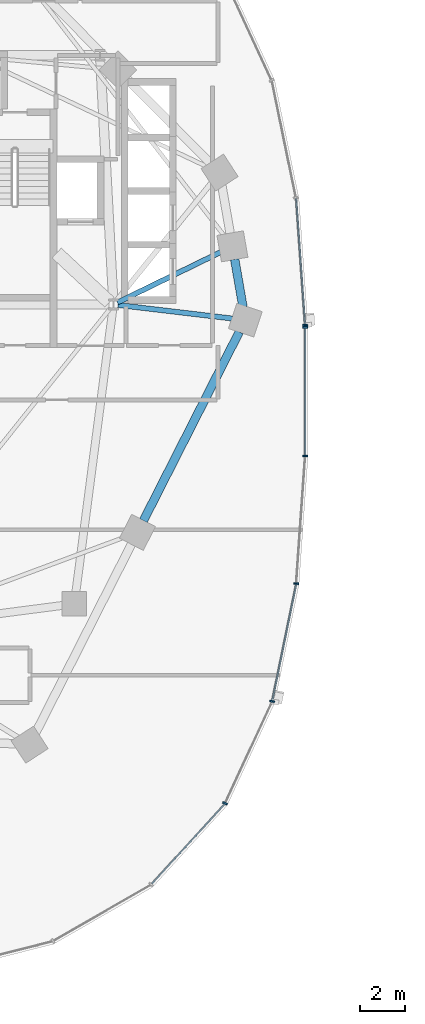
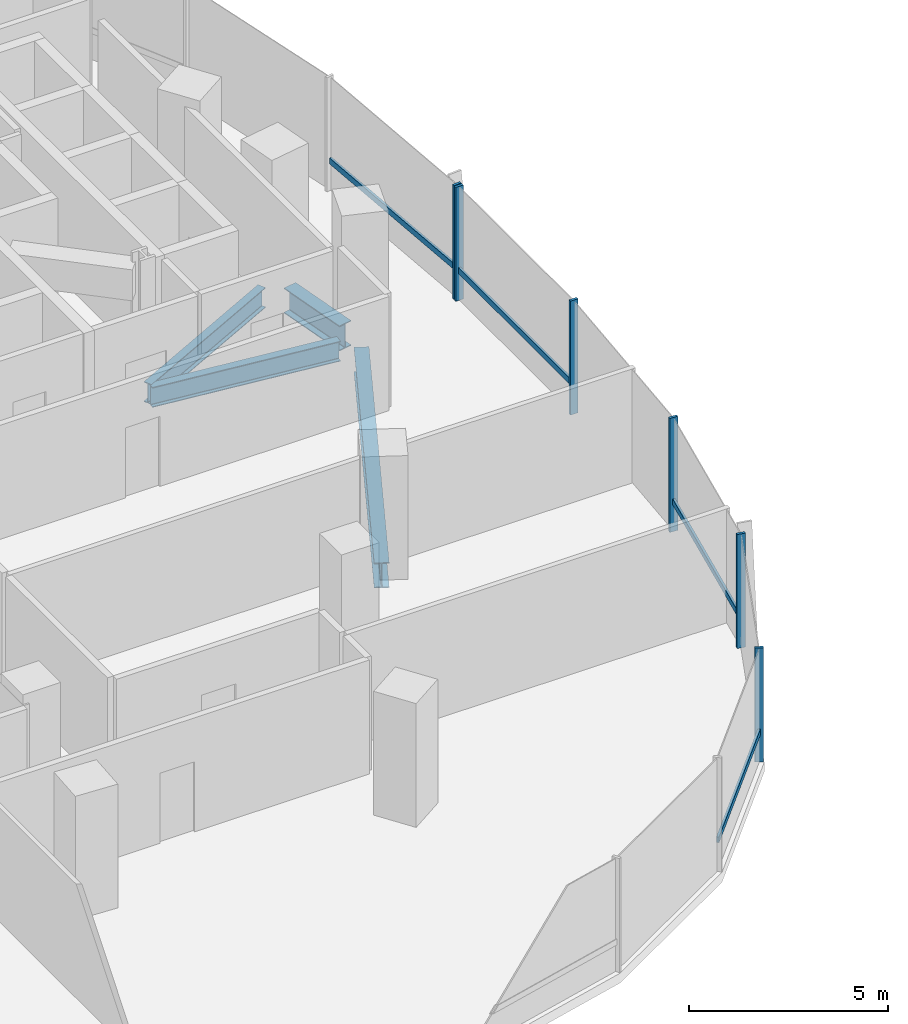
# One storey, part 3 of 22: 10 members, 4 beams, 2 elements without a shape of their own.
"""IFC4 building model written with IfcOpenShell, lengths in metres."""

from ifc_helpers import new_model, si_unit, direction, frame, origin, origin_2d, place, context, subcontext, project, spatial, rectangle, i_section, extrude, material, material_profile, profile_set, type_object, element, aggregate, save


model = new_model("IFC4")

# Units and contexts
model_context = context("Model", 3, precision=1e-05, world=origin(), true_north=direction((0.0, 1.0)))
body_context = subcontext(model_context, "Body", "Model", "MODEL_VIEW")
ifc_project = project(units=[si_unit("LENGTHUNIT", "METRE"), si_unit("AREAUNIT", "SQUARE_METRE"), si_unit("VOLUMEUNIT", "CUBIC_METRE"), si_unit("PLANEANGLEUNIT", "RADIAN"), si_unit("MASSUNIT", "GRAM", prefix="KILO"), si_unit("THERMODYNAMICTEMPERATUREUNIT", "KELVIN"), si_unit("POWERUNIT", "WATT")], contexts=[model_context])

# Site, building, storey
site_placement = place(None, origin())
site = spatial("IfcSite", under=ifc_project, at=site_placement, CompositionType="ELEMENT")
building_placement = place(site_placement, origin())
building = spatial("IfcBuilding", under=site, at=building_placement, Name="Cundina Bronze Exchange", CompositionType="ELEMENT")
storey_placement = place(building_placement, frame((0.0, 0.0, 43.0)))
storey = spatial("IfcBuildingStorey", under=building, at=storey_placement, Name="L10", CompositionType="ELEMENT", Elevation=43.0)

# Beams
ifc_material_1 = material(Name="Steel ASTM A992 Grade 50", Category="steel")
ifc_material_profile_1 = material_profile(ifc_material_1, i_section(OverallWidth=0.22998046875, OverallDepth=0.616943359375, WebThickness=0.01318359375, FlangeThickness=0.022216796875, FilletRadius=0.013916015625, at=origin_2d()), Name="W24X94", Category="steel")
ifc_profile_set_1 = profile_set([ifc_material_profile_1], Name="Steel ASTM A992 Grade 50")
beam_type_1 = type_object("IfcBeamType", Name="BM-FLR-W24B", PredefinedType="BEAM", material=ifc_profile_set_1)
beam_1_placement = place(storey_placement, frame((-21.247314453125, 3.8759765625, -0.6083984375), z_axis=(0.993035236117, -0.117817739878, 0.0), x_axis=(0.117817739878, 0.993035236117, 0.0)))
element("IfcBeam", 1, at=beam_1_placement, inside=storey, type_object=beam_type_1, Name="L10 Leg W Radial Floor Beam 00", PredefinedType="BEAM", context=body_context, shape_type="SweptSolid", body=[
    extrude(i_section(OverallWidth=0.22998046875, OverallDepth=0.616943359375, WebThickness=0.01318359375, FlangeThickness=0.022216796875, FilletRadius=0.013916015625, at=origin_2d()), origin(), (0.0, 0.0, 1.0), 5.1494140625),
])
beam_2_placement = place(storey_placement, frame((-21.2666015625, 3.989501953125, -0.6083984375), z_axis=(0.898610249448, 0.438747785849, 0.0), x_axis=(-0.438747785849, 0.898610249448, 0.0)))
element("IfcBeam", 2, at=beam_2_placement, inside=storey, type_object=beam_type_1, Name="L10 Leg W Radial Floor Beam 01", PredefinedType="BEAM", context=body_context, shape_type="SweptSolid", body=[
    extrude(i_section(OverallWidth=0.22998046875, OverallDepth=0.616943359375, WebThickness=0.01318359375, FlangeThickness=0.022216796875, FilletRadius=0.013916015625, at=origin_2d()), origin(), (0.0, 0.0, 1.0), 5.1337890625),
])
ifc_material_profile_2 = material_profile(ifc_material_1, i_section(OverallWidth=0.381103515625, OverallDepth=0.77294921875, WebThickness=0.0166015625, FlangeThickness=0.027099609375, FilletRadius=0.01904296875, at=origin_2d()), Name="W30X173", Category="steel")
ifc_profile_set_2 = profile_set([ifc_material_profile_2], Name="Steel ASTM A992 Grade 50")
beam_type_2 = type_object("IfcBeamType", Name="BM-RING-W30", PredefinedType="USERDEFINED", material=ifc_profile_set_2)
beam_3_placement = place(storey_placement, frame((-15.65087890625, 3.779296875, -0.6865234375), z_axis=(-0.171734584051, 0.985143254883, 0.0), x_axis=(-0.985143254883, -0.171734584051, 0.0)))
element("IfcBeam", 3, at=beam_3_placement, inside=storey, type_object=beam_type_2, Name="L10 W Perimeter Ring Girder 00", ObjectType="GIRDER", PredefinedType="USERDEFINED", context=body_context, shape_type="SweptSolid", body=[
    extrude(i_section(OverallWidth=0.381103515625, OverallDepth=0.77294921875, WebThickness=0.0166015625, FlangeThickness=0.027099609375, FilletRadius=0.01904296875, at=origin_2d()), origin(), (0.0, 0.0, 1.0), 2.173583984375),
])
beam_4_placement = place(storey_placement, frame((-20.108642578125, -5.775634765625, -0.6865234375), z_axis=(0.452819633606, 0.891602141889, 0.0), x_axis=(-0.891602141889, 0.452819633606, 0.0)))
element("IfcBeam", 4, at=beam_4_placement, inside=storey, type_object=beam_type_2, Name="L10 W Perimeter Ring Girder 13", ObjectType="GIRDER", PredefinedType="USERDEFINED", context=body_context, shape_type="SweptSolid", body=[
    extrude(i_section(OverallWidth=0.381103515625, OverallDepth=0.77294921875, WebThickness=0.0166015625, FlangeThickness=0.027099609375, FilletRadius=0.01904296875, at=origin_2d()), origin(), (0.0, 0.0, 1.0), 9.47900390625),
])

# Curtain wall, member
ifc_material_2 = material(Name="Anodised Bronze Aluminium 6063-T6", Category="aluminium")
curtain_wall_type = type_object("IfcCurtainWallType", Name="CWS-TRD-LOW", PredefinedType="NOTDEFINED", material=ifc_material_2)
curtain_wall_1_placement = place(storey_placement, origin())
curtain_wall_1 = element("IfcCurtainWall", 5, at=curtain_wall_1_placement, inside=storey, type_object=curtain_wall_type, Name="L10 CW-02 Curtain Wall Run CWR-L10-W1", PredefinedType="NOTDEFINED")
ifc_material_profile_3 = material_profile(ifc_material_2, rectangle(XDim=0.074951171875, YDim=0.219970703125, at=origin_2d()), Name="AL75X220", Category="aluminium")
ifc_profile_set_3 = profile_set([ifc_material_profile_3], Name="Anodised Bronze Aluminium 6063-T6")
member_type_1 = type_object("IfcMemberType", Name="CWM-MUL-220", PredefinedType="MULLION", material=ifc_profile_set_3)
member_1_placement = place(storey_placement, frame((-12.87548828125, 2.976318359375, 0.0), z_axis=(0.0, 0.0, 1.0), x_axis=(-0.070278787473, 0.997527389113, 0.0)))
member_1 = element("IfcMember", 6, at=member_1_placement, type_object=member_type_1, Name="CW-02 Mullion 1", PredefinedType="MULLION", context=body_context, shape_type="SweptSolid", body=[
    extrude(rectangle(XDim=0.074951171875, YDim=0.219970703125, at=origin_2d()), origin(), (0.0, 0.0, 1.0), 3.5),
])

# Curtain wall, members
curtain_wall_2_placement = place(storey_placement, origin())
curtain_wall_2 = element("IfcCurtainWall", 7, at=curtain_wall_2_placement, inside=storey, type_object=curtain_wall_type, Name="L10 CW-02 Curtain Wall Run CWR-L10-W4", PredefinedType="NOTDEFINED")
member_2_placement = place(storey_placement, frame((-16.455810546875, -18.423583984375, 0.0), z_axis=(0.0, 0.0, 1.0), x_axis=(0.42087749791, 0.907117485088, 0.0)))
member_2 = element("IfcMember", 8, at=member_2_placement, type_object=member_type_1, Name="CW-02 Mullion 4", PredefinedType="MULLION", context=body_context, shape_type="SweptSolid", body=[
    extrude(rectangle(XDim=0.074951171875, YDim=0.219970703125, at=origin_2d()), origin(), (0.0, 0.0, 1.0), 3.5),
])
member_3_placement = place(storey_placement, frame((-14.348876953125, -13.861328125, 0.0), z_axis=(0.0, 0.0, 1.0), x_axis=(0.201419845156, 0.979505000486, 0.0)))
member_3 = element("IfcMember", 9, at=member_3_placement, type_object=member_type_1, Name="CW-02 Mullion 5", PredefinedType="MULLION", context=body_context, shape_type="SweptSolid", body=[
    extrude(rectangle(XDim=0.074951171875, YDim=0.219970703125, at=origin_2d()), origin(), (0.0, 0.0, 1.0), 3.5),
])
member_4_placement = place(storey_placement, frame((-13.27099609375, -8.591552734375, 0.0), z_axis=(0.0, 0.0, 1.0), x_axis=(0.070278787473, 0.997527389113, 0.0)))
member_4 = element("IfcMember", 10, at=member_4_placement, type_object=member_type_1, Name="CW-02 Mullion 6", PredefinedType="MULLION", context=body_context, shape_type="SweptSolid", body=[
    extrude(rectangle(XDim=0.074951171875, YDim=0.219970703125, at=origin_2d()), origin(), (0.0, 0.0, 1.0), 3.5),
])
member_5_placement = place(storey_placement, frame((-12.8720703125, -2.880615234375, 0.0), z_axis=(0.0, 0.0, 1.0), x_axis=(0.0, 1.0, 0.0)))
member_5 = element("IfcMember", 11, at=member_5_placement, type_object=member_type_1, Name="CW-02 Mullion 7", PredefinedType="MULLION", context=body_context, shape_type="SweptSolid", body=[
    extrude(rectangle(XDim=0.074951171875, YDim=0.219970703125, at=origin_2d()), origin(), (0.0, 0.0, 1.0), 3.5),
])
member_6_placement = place(storey_placement, frame((-12.8720703125, 2.880615234375, 0.0), z_axis=(0.0, 0.0, 1.0), x_axis=(0.0, 1.0, 0.0)))
member_6 = element("IfcMember", 12, at=member_6_placement, type_object=member_type_1, Name="CW-02 End Mullion", PredefinedType="MULLION", context=body_context, shape_type="SweptSolid", body=[
    extrude(rectangle(XDim=0.074951171875, YDim=0.219970703125, at=origin_2d()), origin(), (0.0, 0.0, 1.0), 3.5),
])

# Member
ifc_material_profile_4 = material_profile(ifc_material_2, rectangle(XDim=0.070068359375, YDim=0.179931640625, at=origin_2d()), Name="AL70X180", Category="aluminium")
ifc_profile_set_4 = profile_set([ifc_material_profile_4], Name="Anodised Bronze Aluminium 6063-T6")
member_type_2 = type_object("IfcMemberType", Name="CWM-TRN-180", PredefinedType="USERDEFINED", material=ifc_profile_set_4)
member_7_placement = place(storey_placement, frame((-12.87841796875, 3.017333984375, 0.919921875), z_axis=(-0.070260714471, 0.997528662246, 0.0), x_axis=(-0.997528662246, -0.070260714471, 0.0)))
member_7 = element("IfcMember", 13, at=member_7_placement, type_object=member_type_2, Name="CW-02 Spandrel Transom 1", ObjectType="TRANSOM", PredefinedType="USERDEFINED", context=body_context, shape_type="SweptSolid", body=[
    extrude(rectangle(XDim=0.070068359375, YDim=0.179931640625, at=origin_2d()), origin(), (0.0, 0.0, 1.0), 5.629150390625),
])

aggregate(curtain_wall_1, [member_1, member_7])

member_8_placement = place(storey_placement, frame((-19.73291015625, -22.027099609375, 0.919921875), z_axis=(0.674302794847, 0.738454968743, 0.0), x_axis=(-0.738454968743, 0.674302794847, 0.0)))
member_8 = element("IfcMember", 14, at=member_8_placement, type_object=member_type_2, Name="CW-02 Spandrel Transom 3", ObjectType="TRANSOM", PredefinedType="USERDEFINED", context=body_context, shape_type="SweptSolid", body=[
    extrude(rectangle(XDim=0.070068359375, YDim=0.179931640625, at=origin_2d()), origin(), (0.0, 0.0, 1.0), 4.848388671875),
])

member_9_placement = place(storey_placement, frame((-14.340576171875, -13.821044921875, 0.919921875), z_axis=(0.201427712708, 0.979503382615, 0.0), x_axis=(-0.979503382615, 0.201427712708, 0.0)))
member_9 = element("IfcMember", 15, at=member_9_placement, type_object=member_type_2, Name="CW-02 Spandrel Transom 5", ObjectType="TRANSOM", PredefinedType="USERDEFINED", context=body_context, shape_type="SweptSolid", body=[
    extrude(rectangle(XDim=0.070068359375, YDim=0.179931640625, at=origin_2d()), origin(), (0.0, 0.0, 1.0), 5.291748046875),
])

member_10_placement = place(storey_placement, frame((-12.8720703125, -2.839111328125, 0.919921875), z_axis=(0.0, 1.0, 0.0), x_axis=(-1.0, 0.0, 0.0)))
member_10 = element("IfcMember", 16, at=member_10_placement, type_object=member_type_2, Name="CW-02 Spandrel Transom 7", ObjectType="TRANSOM", PredefinedType="USERDEFINED", context=body_context, shape_type="SweptSolid", body=[
    extrude(rectangle(XDim=0.070068359375, YDim=0.179931640625, at=origin_2d()), origin(), (0.0, 0.0, 1.0), 5.67822265625),
])

aggregate(curtain_wall_2, [member_8, member_2, member_3, member_9, member_4, member_5, member_6, member_10])

save(model, "model.ifc")
